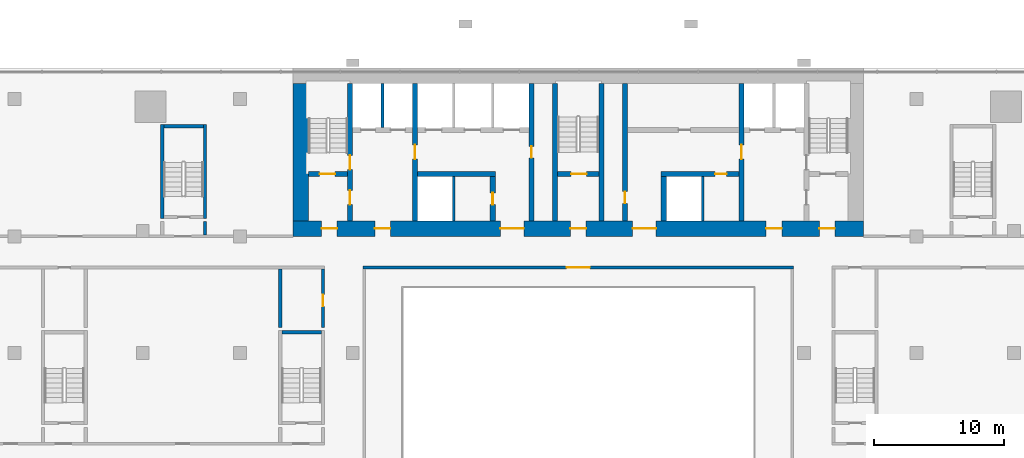
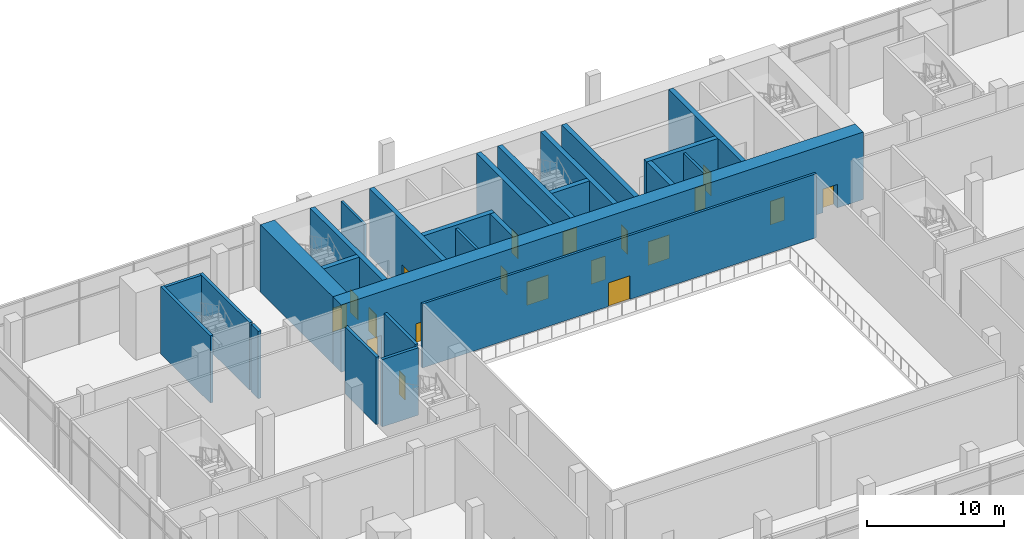
# One storey, part 13 of 22: 26 walls, 19 doors, 19 openings.
"""IFC4 building model written with IfcOpenShell, lengths in metres."""

from ifc_helpers import new_model, si_unit, direction, frame, frame_2d, origin, place, context, subcontext, project, spatial, rectangle, extrude, material, layer, layer_set, type_object, element, fill, save


model = new_model("IFC4")

# Units and contexts
model_context = context("Model", 3, precision=1e-05, world=origin(), true_north=direction((0.0, 1.0)))
body_context = subcontext(model_context, "Body", "Model", "MODEL_VIEW")
ifc_project = project(units=[si_unit("LENGTHUNIT", "METRE"), si_unit("AREAUNIT", "SQUARE_METRE"), si_unit("VOLUMEUNIT", "CUBIC_METRE"), si_unit("PLANEANGLEUNIT", "RADIAN"), si_unit("MASSUNIT", "GRAM", prefix="KILO")], contexts=[model_context])

# Site, building, storey
site_placement = place(None, origin())
site = spatial("IfcSite", under=ifc_project, at=site_placement, CompositionType="ELEMENT")
building_placement = place(site_placement, origin())
building = spatial("IfcBuilding", under=site, at=building_placement, Name="Bicima Exchange Tower", CompositionType="ELEMENT")
storey_placement = place(building_placement, frame((0.0, 0.0, 14.0)))
storey = spatial("IfcBuildingStorey", under=building, at=storey_placement, Name="L02", CompositionType="ELEMENT", Elevation=14.0)

# Walls
ifc_material_1 = material(Name="Gypsum board partition")
ifc_layer_1 = layer(ifc_material_1, 0.199951171875)
ifc_layer_set_1 = layer_set([ifc_layer_1], Name="Gypsum board partition")
wall_type_1 = type_object("IfcWallType", Name="Fire-rated gypsum partition 200 EI120", PredefinedType="PARTITIONING", material=ifc_layer_set_1)
for number, where, z_axis, x_axis, name in (
    (1, (-15.10009765625, -4.60009765625, 0.0), (0.0, 0.0, 1.0), (0.0, 1.0, 0.0), "partition wall 9"),
    (2, (-9.60009765625, -11.800048828125, 0.0), (0.0, 0.0, 1.0), (0.0, 1.0, 0.0), "partition wall 11"),
    (3, (9.60009765625, -11.800048828125, 0.0), (0.0, 0.0, 1.0), (0.0, 1.0, 0.0), "partition wall 20"),
):
    element("IfcWall", number, at=place(storey_placement, frame(where, z_axis=z_axis, x_axis=x_axis)), inside=storey, type_object=wall_type_1, Name=name, PredefinedType="PARTITIONING", context=body_context, shape_type="SweptSolid", body=[
        extrude(rectangle(XDim=3.400146484375, YDim=0.199951171875, at=frame_2d((1.7001953125, 0.0))), origin(), (0.0, 0.0, 1.0), 5.699951171875),
    ])

# Wall, opening, door
ifc_layer_2 = layer(ifc_material_1, 0.199951171875)
ifc_layer_set_2 = layer_set([ifc_layer_2], Name="Gypsum board partition")
wall_type_2 = type_object("IfcWallType", Name="Fire-rated gypsum partition 200 EI60", PredefinedType="PARTITIONING", material=ifc_layer_set_2)
wall_1_placement = place(storey_placement, frame((-16.60009765625, -15.39990234375, 0.0), z_axis=(0.0, 0.0, 1.0), x_axis=(1.0, 0.0, 0.0)))
wall_1 = element("IfcWall", 4, at=wall_1_placement, inside=storey, type_object=wall_type_2, Name="partition wall 18", PredefinedType="PARTITIONING", context=body_context, shape_type="SweptSolid", body=[
    extrude(rectangle(XDim=33.2001953125, YDim=0.199951171875, at=frame_2d((16.60009765625, 0.0))), origin(), (0.0, 0.0, 1.0), 5.699951171875),
])
opening_1_placement = place(wall_1_placement, frame((15.699951171875, 0.0, 0.0)))
opening_1 = element("IfcOpeningElement", 5, at=opening_1_placement, cuts=wall_1, Name="Opening L02-013", PredefinedType="OPENING", context=body_context, shape_type="SweptSolid", body=[
    extrude(rectangle(XDim=1.800048828125, YDim=2.10009765625, at=frame_2d((0.89990234375, 1.050048828125))), frame((0.0, 0.11181640625, 0.0), z_axis=(0.0, -1.0, 0.0), x_axis=(1.0, 0.0, 0.0)), (0.0, 0.0, 1.0), 0.223876953125),
])
ifc_material_2 = material(Name="Steel fire door leaf", Category="steel")
door_type_1 = type_object("IfcDoorType", Name="Door 1800 double swing FD30S", OperationType="DOUBLE_DOOR_SINGLE_SWING", PredefinedType="DOOR", material=ifc_material_2)
door_1_placement = place(opening_1_placement, origin())
door_1 = element("IfcDoor", 6, at=door_1_placement, inside=storey, type_object=door_type_1, Name="Door", OperationType="SINGLE_SWING_LEFT", OverallHeight=2.10009765625, OverallWidth=1.800048828125, PredefinedType="DOOR", context=body_context, shape_type="SweptSolid", body=[
    extrude(rectangle(XDim=1.800048828125, YDim=2.10009765625, at=frame_2d((0.89990234375, 1.050048828125))), frame((0.0, 0.02490234375, 0.0), z_axis=(0.0, -1.0, 0.0), x_axis=(1.0, 0.0, 0.0)), (0.0, 0.0, 1.0), 0.050048828125),
])
fill(opening_1, door_1)

# Wall, openings, doors
ifc_material_3 = material(Name="Concrete C60/75", Category="concrete")
ifc_layer_3 = layer(ifc_material_3, 1.199951171875)
ifc_layer_set_3 = layer_set([ifc_layer_3], Name="Concrete C60/75")
wall_type_3 = type_object("IfcWallType", Name="RC core wall 1200 C60/75", PredefinedType="SHEAR", material=ifc_layer_set_3)
wall_2_placement = place(storey_placement, frame((-22.0, -12.39990234375, 0.0), z_axis=(0.0, 0.0, 1.0), x_axis=(1.0, 0.0, 0.0)))
wall_2 = element("IfcWall", 7, at=wall_2_placement, inside=storey, type_object=wall_type_3, Name="Core wall south", PredefinedType="SHEAR", context=body_context, shape_type="SweptSolid", body=[
    extrude(rectangle(XDim=44.0, YDim=1.199951171875, at=frame_2d((22.0, 0.0))), origin(), (0.0, 0.0, 1.0), 6.0),
])
opening_2_placement = place(wall_2_placement, frame((2.199951171875, 0.0, 0.0)))
opening_2 = element("IfcOpeningElement", 8, at=opening_2_placement, cuts=wall_2, Name="Opening L02-C15", PredefinedType="OPENING", context=body_context, shape_type="SweptSolid", body=[
    extrude(rectangle(XDim=1.199951171875, YDim=2.10009765625, at=frame_2d((0.60009765625, 1.050048828125))), frame((0.0, 0.61181640625, 0.0), z_axis=(0.0, -1.0, 0.0), x_axis=(1.0, 0.0, 0.0)), (0.0, 0.0, 1.0), 1.223876953125),
])
opening_3_placement = place(wall_2_placement, frame((21.39990234375, 0.0, 0.0)))
opening_3 = element("IfcOpeningElement", 9, at=opening_3_placement, cuts=wall_2, Name="Opening L02-C16", PredefinedType="OPENING", context=body_context, shape_type="SweptSolid", body=[
    extrude(rectangle(XDim=1.199951171875, YDim=2.10009765625, at=frame_2d((0.60009765625, 1.050048828125))), frame((0.0, 0.61181640625, 0.0), z_axis=(0.0, -1.0, 0.0), x_axis=(1.0, 0.0, 0.0)), (0.0, 0.0, 1.0), 1.223876953125),
])
opening_4_placement = place(wall_2_placement, frame((40.60009765625, 0.0, 0.0)))
opening_4 = element("IfcOpeningElement", 10, at=opening_4_placement, cuts=wall_2, Name="Opening L02-C17", PredefinedType="OPENING", context=body_context, shape_type="SweptSolid", body=[
    extrude(rectangle(XDim=1.199951171875, YDim=2.10009765625, at=frame_2d((0.60009765625, 1.050048828125))), frame((0.0, 0.61181640625, 0.0), z_axis=(0.0, -1.0, 0.0), x_axis=(1.0, 0.0, 0.0)), (0.0, 0.0, 1.0), 1.223876953125),
])
opening_5_placement = place(wall_2_placement, frame((16.0, 0.0, 0.0)))
opening_5 = element("IfcOpeningElement", 11, at=opening_5_placement, cuts=wall_2, Name="Opening L02-C18", PredefinedType="OPENING", context=body_context, shape_type="SweptSolid", body=[
    extrude(rectangle(XDim=1.800048828125, YDim=2.10009765625, at=frame_2d((0.89990234375, 1.050048828125))), frame((0.0, 0.61181640625, 0.0), z_axis=(0.0, -1.0, 0.0), x_axis=(1.0, 0.0, 0.0)), (0.0, 0.0, 1.0), 1.223876953125),
])
opening_6_placement = place(wall_2_placement, frame((6.300048828125, 0.0, 0.0)))
opening_6 = element("IfcOpeningElement", 12, at=opening_6_placement, cuts=wall_2, Name="Opening L02-C19", PredefinedType="OPENING", context=body_context, shape_type="SweptSolid", body=[
    extrude(rectangle(XDim=1.199951171875, YDim=2.10009765625, at=frame_2d((0.60009765625, 1.050048828125))), frame((0.0, 0.61181640625, 0.0), z_axis=(0.0, -1.0, 0.0), x_axis=(1.0, 0.0, 0.0)), (0.0, 0.0, 1.0), 1.223876953125),
])
opening_7_placement = place(wall_2_placement, frame((26.199951171875, 0.0, 0.0)))
opening_7 = element("IfcOpeningElement", 13, at=opening_7_placement, cuts=wall_2, Name="Opening L02-C20", PredefinedType="OPENING", context=body_context, shape_type="SweptSolid", body=[
    extrude(rectangle(XDim=1.800048828125, YDim=2.10009765625, at=frame_2d((0.89990234375, 1.050048828125))), frame((0.0, 0.61181640625, 0.0), z_axis=(0.0, -1.0, 0.0), x_axis=(1.0, 0.0, 0.0)), (0.0, 0.0, 1.0), 1.223876953125),
])
opening_8_placement = place(wall_2_placement, frame((36.5, 0.0, 0.0)))
opening_8 = element("IfcOpeningElement", 14, at=opening_8_placement, cuts=wall_2, Name="Opening L02-C21", PredefinedType="OPENING", context=body_context, shape_type="SweptSolid", body=[
    extrude(rectangle(XDim=1.199951171875, YDim=2.10009765625, at=frame_2d((0.60009765625, 1.050048828125))), frame((0.0, 0.61181640625, 0.0), z_axis=(0.0, -1.0, 0.0), x_axis=(1.0, 0.0, 0.0)), (0.0, 0.0, 1.0), 1.223876953125),
])
door_type_2 = type_object("IfcDoorType", Name="Door 1200 swing FD60S", OperationType="SINGLE_SWING_LEFT", PredefinedType="DOOR", material=ifc_material_2)
door_2_placement = place(opening_2_placement, frame((1.199951171875, 0.0, 0.0), z_axis=(0.0, 0.0, 1.0), x_axis=(-1.0, 0.0, 0.0)))
door_2 = element("IfcDoor", 15, at=door_2_placement, inside=storey, type_object=door_type_2, Name="Core door", OperationType="SINGLE_SWING_RIGHT", OverallHeight=2.10009765625, OverallWidth=1.199951171875, PredefinedType="DOOR", context=body_context, shape_type="SweptSolid", body=[
    extrude(rectangle(XDim=1.199951171875, YDim=2.10009765625, at=frame_2d((0.60009765625, 1.050048828125))), frame((0.0, 0.02490234375, 0.0), z_axis=(0.0, -1.0, 0.0), x_axis=(1.0, 0.0, 0.0)), (0.0, 0.0, 1.0), 0.050048828125),
])
fill(opening_2, door_2)
door_3_placement = place(opening_3_placement, frame((1.199951171875, 0.0, 0.0), z_axis=(0.0, 0.0, 1.0), x_axis=(-1.0, 0.0, 0.0)))
door_3 = element("IfcDoor", 16, at=door_3_placement, inside=storey, type_object=door_type_2, Name="Core door", OperationType="SINGLE_SWING_RIGHT", OverallHeight=2.10009765625, OverallWidth=1.199951171875, PredefinedType="DOOR", context=body_context, shape_type="SweptSolid", body=[
    extrude(rectangle(XDim=1.199951171875, YDim=2.10009765625, at=frame_2d((0.60009765625, 1.050048828125))), frame((0.0, 0.02490234375, 0.0), z_axis=(0.0, -1.0, 0.0), x_axis=(1.0, 0.0, 0.0)), (0.0, 0.0, 1.0), 0.050048828125),
])
fill(opening_3, door_3)
door_4_placement = place(opening_4_placement, frame((1.199951171875, 0.0, 0.0), z_axis=(0.0, 0.0, 1.0), x_axis=(-1.0, 0.0, 0.0)))
door_4 = element("IfcDoor", 17, at=door_4_placement, inside=storey, type_object=door_type_2, Name="Core door", OperationType="SINGLE_SWING_RIGHT", OverallHeight=2.10009765625, OverallWidth=1.199951171875, PredefinedType="DOOR", context=body_context, shape_type="SweptSolid", body=[
    extrude(rectangle(XDim=1.199951171875, YDim=2.10009765625, at=frame_2d((0.60009765625, 1.050048828125))), frame((0.0, 0.02490234375, 0.0), z_axis=(0.0, -1.0, 0.0), x_axis=(1.0, 0.0, 0.0)), (0.0, 0.0, 1.0), 0.050048828125),
])
fill(opening_4, door_4)
door_5_placement = place(opening_6_placement, frame((1.199951171875, 0.0, 0.0), z_axis=(0.0, 0.0, 1.0), x_axis=(-1.0, 0.0, 0.0)))
door_5 = element("IfcDoor", 18, at=door_5_placement, inside=storey, type_object=door_type_2, Name="Core door", OperationType="SINGLE_SWING_RIGHT", OverallHeight=2.10009765625, OverallWidth=1.199951171875, PredefinedType="DOOR", context=body_context, shape_type="SweptSolid", body=[
    extrude(rectangle(XDim=1.199951171875, YDim=2.10009765625, at=frame_2d((0.60009765625, 1.050048828125))), frame((0.0, 0.02490234375, 0.0), z_axis=(0.0, -1.0, 0.0), x_axis=(1.0, 0.0, 0.0)), (0.0, 0.0, 1.0), 0.050048828125),
])
fill(opening_6, door_5)
door_6_placement = place(opening_8_placement, frame((1.199951171875, 0.0, 0.0), z_axis=(0.0, 0.0, 1.0), x_axis=(-1.0, 0.0, 0.0)))
door_6 = element("IfcDoor", 19, at=door_6_placement, inside=storey, type_object=door_type_2, Name="Core door", OperationType="SINGLE_SWING_RIGHT", OverallHeight=2.10009765625, OverallWidth=1.199951171875, PredefinedType="DOOR", context=body_context, shape_type="SweptSolid", body=[
    extrude(rectangle(XDim=1.199951171875, YDim=2.10009765625, at=frame_2d((0.60009765625, 1.050048828125))), frame((0.0, 0.02490234375, 0.0), z_axis=(0.0, -1.0, 0.0), x_axis=(1.0, 0.0, 0.0)), (0.0, 0.0, 1.0), 0.050048828125),
])
fill(opening_8, door_6)
door_7_placement = place(opening_5_placement, origin())
door_7 = element("IfcDoor", 20, at=door_7_placement, inside=storey, type_object=door_type_1, Name="Core door", OperationType="SINGLE_SWING_LEFT", OverallHeight=2.10009765625, OverallWidth=1.800048828125, PredefinedType="DOOR", context=body_context, shape_type="SweptSolid", body=[
    extrude(rectangle(XDim=1.800048828125, YDim=2.10009765625, at=frame_2d((0.89990234375, 1.050048828125))), frame((0.0, 0.02490234375, 0.0), z_axis=(0.0, -1.0, 0.0), x_axis=(1.0, 0.0, 0.0)), (0.0, 0.0, 1.0), 0.050048828125),
])
fill(opening_5, door_7)
door_8_placement = place(opening_7_placement, origin())
door_8 = element("IfcDoor", 21, at=door_8_placement, inside=storey, type_object=door_type_1, Name="Core door", OperationType="SINGLE_SWING_LEFT", OverallHeight=2.10009765625, OverallWidth=1.800048828125, PredefinedType="DOOR", context=body_context, shape_type="SweptSolid", body=[
    extrude(rectangle(XDim=1.800048828125, YDim=2.10009765625, at=frame_2d((0.89990234375, 1.050048828125))), frame((0.0, 0.02490234375, 0.0), z_axis=(0.0, -1.0, 0.0), x_axis=(1.0, 0.0, 0.0)), (0.0, 0.0, 1.0), 0.050048828125),
])
fill(opening_7, door_8)

# Walls
wall_3_placement = place(storey_placement, frame((-21.39990234375, -11.800048828125, 0.0), z_axis=(0.0, 0.0, 1.0), x_axis=(0.0, 1.0, 0.0)))
element("IfcWall", 22, at=wall_3_placement, inside=storey, type_object=wall_type_3, Name="Core wall west", PredefinedType="SHEAR", context=body_context, shape_type="SweptSolid", body=[
    extrude(rectangle(XDim=10.60009765625, YDim=1.199951171875, at=frame_2d((5.300048828125, 0.0))), origin(), (0.0, 0.0, 1.0), 6.0),
])
ifc_material_4 = material(Name="Concrete C50/60", Category="concrete")
ifc_layer_4 = layer(ifc_material_4, 0.25)
ifc_layer_set_4 = layer_set([ifc_layer_4], Name="Concrete C50/60")
wall_type_4 = type_object("IfcWallType", Name="RC core wall 250 C50/60", PredefinedType="SHEAR", material=ifc_layer_set_4)
wall_4_placement = place(storey_placement, frame((-28.800048828125, -12.89990234375, 0.0), z_axis=(0.0, 0.0, 1.0), x_axis=(0.0, 1.0, 0.0)))
element("IfcWall", 23, at=wall_4_placement, inside=storey, type_object=wall_type_4, Name="stair wall 34", PredefinedType="SHEAR", context=body_context, shape_type="SweptSolid", body=[
    extrude(rectangle(XDim=1.0498046875, YDim=0.25, at=frame_2d((0.52490234375, 0.0))), origin(), (0.0, 0.0, 1.0), 6.0),
])
wall_5_placement = place(storey_placement, frame((-23.0, -20.050048828125, 0.0), z_axis=(0.0, 0.0, 1.0), x_axis=(0.0, 1.0, 0.0)))
element("IfcWall", 24, at=wall_5_placement, inside=storey, type_object=wall_type_4, Name="stair wall 36", PredefinedType="SHEAR", context=body_context, shape_type="SweptSolid", body=[
    extrude(rectangle(XDim=4.550048828125, YDim=0.25, at=frame_2d((2.27490234375, 0.0))), origin(), (0.0, 0.0, 1.0), 6.0),
])

# Wall, opening, door
wall_6_placement = place(storey_placement, frame((-19.699951171875, -20.050048828125, 0.0), z_axis=(0.0, 0.0, 1.0), x_axis=(0.0, 1.0, 0.0)))
wall_6 = element("IfcWall", 25, at=wall_6_placement, inside=storey, type_object=wall_type_4, Name="stair wall 38", PredefinedType="SHEAR", context=body_context, shape_type="SweptSolid", body=[
    extrude(rectangle(XDim=4.550048828125, YDim=0.25, at=frame_2d((2.27490234375, 0.0))), origin(), (0.0, 0.0, 1.0), 6.0),
])
opening_9_placement = place(wall_6_placement, frame((1.64990234375, 0.0, 0.0)))
opening_9 = element("IfcOpeningElement", 26, at=opening_9_placement, cuts=wall_6, Name="Opening L02-023", PredefinedType="OPENING", context=body_context, shape_type="SweptSolid", body=[
    extrude(rectangle(XDim=0.89990234375, YDim=2.10009765625, at=frame_2d((0.449951171875, 1.050048828125))), frame((0.0, 0.136962890625, 0.0), z_axis=(0.0, -1.0, 0.0), x_axis=(1.0, 0.0, 0.0)), (0.0, 0.0, 1.0), 0.27392578125),
])
door_type_3 = type_object("IfcDoorType", Name="Door 900 swing FD60S", OperationType="SINGLE_SWING_LEFT", PredefinedType="DOOR", material=ifc_material_2)
door_9_placement = place(opening_9_placement, origin())
door_9 = element("IfcDoor", 27, at=door_9_placement, inside=storey, type_object=door_type_3, Name="Door", OperationType="SINGLE_SWING_LEFT", OverallHeight=2.10009765625, OverallWidth=0.89990234375, PredefinedType="DOOR", context=body_context, shape_type="SweptSolid", body=[
    extrude(rectangle(XDim=0.89990234375, YDim=2.10009765625, at=frame_2d((0.449951171875, 1.050048828125))), frame((0.0, 0.02490234375, 0.0), z_axis=(0.0, -1.0, 0.0), x_axis=(1.0, 0.0, 0.0)), (0.0, 0.0, 1.0), 0.050048828125),
])
fill(opening_9, door_9)

ifc_layer_5 = layer(ifc_material_4, 0.39990234375)
ifc_layer_set_5 = layer_set([ifc_layer_5], Name="Concrete C50/60")
wall_type_5 = type_object("IfcWallType", Name="RC core wall 400 C50/60", PredefinedType="SHEAR", material=ifc_layer_set_5)
wall_7_placement = place(storey_placement, frame((-20.800048828125, -8.199951171875, 0.0), z_axis=(0.0, 0.0, 1.0), x_axis=(1.0, 0.0, 0.0)))
wall_7 = element("IfcWall", 28, at=wall_7_placement, inside=storey, type_object=wall_type_5, Name="stair wall 1", PredefinedType="SHEAR", context=body_context, shape_type="SweptSolid", body=[
    extrude(rectangle(XDim=3.0, YDim=0.39990234375, at=frame_2d((1.5, 0.0))), origin(), (0.0, 0.0, 1.0), 6.0),
])
opening_10_placement = place(wall_7_placement, frame((0.85009765625, 0.0, 0.0)))
opening_10 = element("IfcOpeningElement", 29, at=opening_10_placement, cuts=wall_7, Name="Opening L02-C01", PredefinedType="OPENING", context=body_context, shape_type="SweptSolid", body=[
    extrude(rectangle(XDim=1.199951171875, YDim=2.10009765625, at=frame_2d((0.60009765625, 1.050048828125))), frame((0.0, 0.2119140625, 0.0), z_axis=(0.0, -1.0, 0.0), x_axis=(1.0, 0.0, 0.0)), (0.0, 0.0, 1.0), 0.423828125),
])
door_10_placement = place(opening_10_placement, origin())
door_10 = element("IfcDoor", 30, at=door_10_placement, inside=storey, type_object=door_type_2, Name="Core door", OperationType="SINGLE_SWING_LEFT", OverallHeight=2.10009765625, OverallWidth=1.199951171875, PredefinedType="DOOR", context=body_context, shape_type="SweptSolid", body=[
    extrude(rectangle(XDim=1.199951171875, YDim=2.10009765625, at=frame_2d((0.60009765625, 1.050048828125))), frame((0.0, 0.02490234375, 0.0), z_axis=(0.0, -1.0, 0.0), x_axis=(1.0, 0.0, 0.0)), (0.0, 0.0, 1.0), 0.050048828125),
])
fill(opening_10, door_10)

wall_8_placement = place(storey_placement, frame((-1.60009765625, -8.199951171875, 0.0), z_axis=(0.0, 0.0, 1.0), x_axis=(1.0, 0.0, 0.0)))
wall_8 = element("IfcWall", 31, at=wall_8_placement, inside=storey, type_object=wall_type_5, Name="stair wall 3", PredefinedType="SHEAR", context=body_context, shape_type="SweptSolid", body=[
    extrude(rectangle(XDim=3.2001953125, YDim=0.39990234375, at=frame_2d((1.60009765625, 0.0))), origin(), (0.0, 0.0, 1.0), 6.0),
])
opening_11_placement = place(wall_8_placement, frame((1.050048828125, 0.0, 0.0)))
opening_11 = element("IfcOpeningElement", 32, at=opening_11_placement, cuts=wall_8, Name="Opening L02-C03", PredefinedType="OPENING", context=body_context, shape_type="SweptSolid", body=[
    extrude(rectangle(XDim=1.199951171875, YDim=2.10009765625, at=frame_2d((0.60009765625, 1.050048828125))), frame((0.0, 0.2119140625, 0.0), z_axis=(0.0, -1.0, 0.0), x_axis=(1.0, 0.0, 0.0)), (0.0, 0.0, 1.0), 0.423828125),
])
door_11_placement = place(opening_11_placement, origin())
door_11 = element("IfcDoor", 33, at=door_11_placement, inside=storey, type_object=door_type_2, Name="Core door", OperationType="SINGLE_SWING_LEFT", OverallHeight=2.10009765625, OverallWidth=1.199951171875, PredefinedType="DOOR", context=body_context, shape_type="SweptSolid", body=[
    extrude(rectangle(XDim=1.199951171875, YDim=2.10009765625, at=frame_2d((0.60009765625, 1.050048828125))), frame((0.0, 0.02490234375, 0.0), z_axis=(0.0, -1.0, 0.0), x_axis=(1.0, 0.0, 0.0)), (0.0, 0.0, 1.0), 0.050048828125),
])
fill(opening_11, door_11)

# Wall, openings, doors
wall_9_placement = place(storey_placement, frame((-17.60009765625, -11.800048828125, 0.0), z_axis=(0.0, 0.0, 1.0), x_axis=(0.0, 1.0, 0.0)))
wall_9 = element("IfcWall", 34, at=wall_9_placement, inside=storey, type_object=wall_type_5, Name="stair wall 8", PredefinedType="SHEAR", context=body_context, shape_type="SweptSolid", body=[
    extrude(rectangle(XDim=10.60009765625, YDim=0.39990234375, at=frame_2d((5.300048828125, 0.0))), origin(), (0.0, 0.0, 1.0), 6.0),
])
opening_12_placement = place(wall_9_placement, frame((1.25, 0.0, 0.0)))
opening_12 = element("IfcOpeningElement", 35, at=opening_12_placement, cuts=wall_9, Name="Opening L02-C02", PredefinedType="OPENING", context=body_context, shape_type="SweptSolid", body=[
    extrude(rectangle(XDim=1.10009765625, YDim=2.10009765625, at=frame_2d((0.550048828125, 1.050048828125))), frame((0.0, 0.2119140625, 0.0), z_axis=(0.0, -1.0, 0.0), x_axis=(1.0, 0.0, 0.0)), (0.0, 0.0, 1.0), 0.423828125),
])
opening_13_placement = place(wall_9_placement, frame((3.949951171875, 0.0, 0.0)))
opening_13 = element("IfcOpeningElement", 36, at=opening_13_placement, cuts=wall_9, Name="Opening L02-C06", PredefinedType="OPENING", context=body_context, shape_type="SweptSolid", body=[
    extrude(rectangle(XDim=1.10009765625, YDim=2.10009765625, at=frame_2d((0.550048828125, 1.050048828125))), frame((0.0, 0.2119140625, 0.0), z_axis=(0.0, -1.0, 0.0), x_axis=(1.0, 0.0, 0.0)), (0.0, 0.0, 1.0), 0.423828125),
])
door_type_4 = type_object("IfcDoorType", Name="Door 1100 swing FD60S", OperationType="SINGLE_SWING_LEFT", PredefinedType="DOOR", material=ifc_material_2)
door_12_placement = place(opening_12_placement, frame((1.10009765625, 0.0, 0.0), z_axis=(0.0, 0.0, 1.0), x_axis=(-1.0, 0.0, 0.0)))
door_12 = element("IfcDoor", 37, at=door_12_placement, inside=storey, type_object=door_type_4, Name="Core door", OperationType="SINGLE_SWING_LEFT", OverallHeight=2.10009765625, OverallWidth=1.10009765625, PredefinedType="DOOR", context=body_context, shape_type="SweptSolid", body=[
    extrude(rectangle(XDim=1.10009765625, YDim=2.10009765625, at=frame_2d((0.550048828125, 1.050048828125))), frame((0.0, 0.02490234375, 0.0), z_axis=(0.0, -1.0, 0.0), x_axis=(1.0, 0.0, 0.0)), (0.0, 0.0, 1.0), 0.050048828125),
])
fill(opening_12, door_12)
door_13_placement = place(opening_13_placement, frame((1.10009765625, 0.0, 0.0), z_axis=(0.0, 0.0, 1.0), x_axis=(-1.0, 0.0, 0.0)))
door_13 = element("IfcDoor", 38, at=door_13_placement, inside=storey, type_object=door_type_4, Name="Core door", OperationType="SINGLE_SWING_LEFT", OverallHeight=2.10009765625, OverallWidth=1.10009765625, PredefinedType="DOOR", context=body_context, shape_type="SweptSolid", body=[
    extrude(rectangle(XDim=1.10009765625, YDim=2.10009765625, at=frame_2d((0.550048828125, 1.050048828125))), frame((0.0, 0.02490234375, 0.0), z_axis=(0.0, -1.0, 0.0), x_axis=(1.0, 0.0, 0.0)), (0.0, 0.0, 1.0), 0.050048828125),
])
fill(opening_13, door_13)

# Walls
for number, where, z_axis, x_axis, name in (
    (39, (-1.800048828125, -11.800048828125, 0.0), (0.0, 0.0, 1.0), (0.0, 1.0, 0.0), "stair wall 16"),
    (40, (1.800048828125, -11.800048828125, 0.0), (0.0, 0.0, 1.0), (0.0, 1.0, 0.0), "stair wall 17"),
):
    element("IfcWall", number, at=place(storey_placement, frame(where, z_axis=z_axis, x_axis=x_axis)), inside=storey, type_object=wall_type_5, Name=name, PredefinedType="SHEAR", context=body_context, shape_type="SweptSolid", body=[
        extrude(rectangle(XDim=10.60009765625, YDim=0.39990234375, at=frame_2d((5.300048828125, 0.0))), origin(), (0.0, 0.0, 1.0), 6.0),
    ])
ifc_layer_6 = layer(ifc_material_3, 0.39990234375)
ifc_layer_set_6 = layer_set([ifc_layer_6], Name="Concrete C60/75")
wall_type_6 = type_object("IfcWallType", Name="RC core wall 400 C60/75", PredefinedType="SHEAR", material=ifc_layer_set_6)
wall_10_placement = place(storey_placement, frame((-12.39990234375, -8.199951171875, 0.0), z_axis=(0.0, 0.0, 1.0), x_axis=(1.0, 0.0, 0.0)))
element("IfcWall", 41, at=wall_10_placement, inside=storey, type_object=wall_type_6, Name="shear wall 2", PredefinedType="SHEAR", context=body_context, shape_type="SweptSolid", body=[
    extrude(rectangle(XDim=6.0, YDim=0.39990234375, at=frame_2d((3.0, 0.0))), origin(), (0.0, 0.0, 1.0), 6.0),
])

# Wall, opening, door
wall_11_placement = place(storey_placement, frame((6.39990234375, -8.199951171875, 0.0), z_axis=(0.0, 0.0, 1.0), x_axis=(1.0, 0.0, 0.0)))
wall_11 = element("IfcWall", 42, at=wall_11_placement, inside=storey, type_object=wall_type_6, Name="shear wall 4", PredefinedType="SHEAR", context=body_context, shape_type="SweptSolid", body=[
    extrude(rectangle(XDim=6.0, YDim=0.39990234375, at=frame_2d((3.0, 0.0))), origin(), (0.0, 0.0, 1.0), 6.0),
])
opening_14_placement = place(wall_11_placement, frame((4.14990234375, 0.0, 0.0)))
opening_14 = element("IfcOpeningElement", 43, at=opening_14_placement, cuts=wall_11, Name="Opening L02-C14", PredefinedType="OPENING", context=body_context, shape_type="SweptSolid", body=[
    extrude(rectangle(XDim=0.89990234375, YDim=2.10009765625, at=frame_2d((0.449951171875, 1.050048828125))), frame((0.0, 0.2119140625, 0.0), z_axis=(0.0, -1.0, 0.0), x_axis=(1.0, 0.0, 0.0)), (0.0, 0.0, 1.0), 0.423828125),
])
door_type_5 = type_object("IfcDoorType", Name="Door 900 swing FD30S", OperationType="SINGLE_SWING_LEFT", PredefinedType="DOOR", material=ifc_material_2)
door_14_placement = place(opening_14_placement, frame((0.89990234375, 0.0, 0.0), z_axis=(0.0, 0.0, 1.0), x_axis=(-1.0, 0.0, 0.0)))
door_14 = element("IfcDoor", 44, at=door_14_placement, inside=storey, type_object=door_type_5, Name="Core door", OperationType="SINGLE_SWING_LEFT", OverallHeight=2.10009765625, OverallWidth=0.89990234375, PredefinedType="DOOR", context=body_context, shape_type="SweptSolid", body=[
    extrude(rectangle(XDim=0.89990234375, YDim=2.10009765625, at=frame_2d((0.449951171875, 1.050048828125))), frame((0.0, 0.02490234375, 0.0), z_axis=(0.0, -1.0, 0.0), x_axis=(1.0, 0.0, 0.0)), (0.0, 0.0, 1.0), 0.050048828125),
])
fill(opening_14, door_14)

wall_12_placement = place(storey_placement, frame((-12.60009765625, -11.800048828125, 0.0), z_axis=(0.0, 0.0, 1.0), x_axis=(0.0, 1.0, 0.0)))
wall_12 = element("IfcWall", 45, at=wall_12_placement, inside=storey, type_object=wall_type_6, Name="shear wall 10", PredefinedType="SHEAR", context=body_context, shape_type="SweptSolid", body=[
    extrude(rectangle(XDim=10.60009765625, YDim=0.39990234375, at=frame_2d((5.300048828125, 0.0))), origin(), (0.0, 0.0, 1.0), 6.0),
])
opening_15_placement = place(wall_12_placement, frame((4.75, 0.0, 0.0)))
opening_15 = element("IfcOpeningElement", 46, at=opening_15_placement, cuts=wall_12, Name="Opening L02-C07", PredefinedType="OPENING", context=body_context, shape_type="SweptSolid", body=[
    extrude(rectangle(XDim=1.10009765625, YDim=2.10009765625, at=frame_2d((0.550048828125, 1.050048828125))), frame((0.0, 0.2119140625, 0.0), z_axis=(0.0, -1.0, 0.0), x_axis=(1.0, 0.0, 0.0)), (0.0, 0.0, 1.0), 0.423828125),
])
door_15_placement = place(opening_15_placement, origin())
door_15 = element("IfcDoor", 47, at=door_15_placement, inside=storey, type_object=door_type_4, Name="Core door", OperationType="SINGLE_SWING_LEFT", OverallHeight=2.10009765625, OverallWidth=1.10009765625, PredefinedType="DOOR", context=body_context, shape_type="SweptSolid", body=[
    extrude(rectangle(XDim=1.10009765625, YDim=2.10009765625, at=frame_2d((0.550048828125, 1.050048828125))), frame((0.0, 0.02490234375, 0.0), z_axis=(0.0, -1.0, 0.0), x_axis=(1.0, 0.0, 0.0)), (0.0, 0.0, 1.0), 0.050048828125),
])
fill(opening_15, door_15)

wall_13_placement = place(storey_placement, frame((-6.60009765625, -11.800048828125, 0.0), z_axis=(0.0, 0.0, 1.0), x_axis=(0.0, 1.0, 0.0)))
wall_13 = element("IfcWall", 48, at=wall_13_placement, inside=storey, type_object=wall_type_6, Name="shear wall 13", PredefinedType="SHEAR", context=body_context, shape_type="SweptSolid", body=[
    extrude(rectangle(XDim=3.400146484375, YDim=0.39990234375, at=frame_2d((1.7001953125, 0.0))), origin(), (0.0, 0.0, 1.0), 6.0),
])
opening_16_placement = place(wall_13_placement, frame((1.25, 0.0, 0.0)))
opening_16 = element("IfcOpeningElement", 49, at=opening_16_placement, cuts=wall_13, Name="Opening L02-C13", PredefinedType="OPENING", context=body_context, shape_type="SweptSolid", body=[
    extrude(rectangle(XDim=0.89990234375, YDim=2.10009765625, at=frame_2d((0.449951171875, 1.050048828125))), frame((0.0, 0.2119140625, 0.0), z_axis=(0.0, -1.0, 0.0), x_axis=(1.0, 0.0, 0.0)), (0.0, 0.0, 1.0), 0.423828125),
])
door_16_placement = place(opening_16_placement, origin())
door_16 = element("IfcDoor", 50, at=door_16_placement, inside=storey, type_object=door_type_5, Name="Core door", OperationType="SINGLE_SWING_LEFT", OverallHeight=2.10009765625, OverallWidth=0.89990234375, PredefinedType="DOOR", context=body_context, shape_type="SweptSolid", body=[
    extrude(rectangle(XDim=0.89990234375, YDim=2.10009765625, at=frame_2d((0.449951171875, 1.050048828125))), frame((0.0, 0.02490234375, 0.0), z_axis=(0.0, -1.0, 0.0), x_axis=(1.0, 0.0, 0.0)), (0.0, 0.0, 1.0), 0.050048828125),
])
fill(opening_16, door_16)

wall_14_placement = place(storey_placement, frame((-3.60009765625, -11.800048828125, 0.0), z_axis=(0.0, 0.0, 1.0), x_axis=(0.0, 1.0, 0.0)))
wall_14 = element("IfcWall", 51, at=wall_14_placement, inside=storey, type_object=wall_type_6, Name="shear wall 15", PredefinedType="SHEAR", context=body_context, shape_type="SweptSolid", body=[
    extrude(rectangle(XDim=10.60009765625, YDim=0.39990234375, at=frame_2d((5.300048828125, 0.0))), origin(), (0.0, 0.0, 1.0), 6.0),
])
opening_17_placement = place(wall_14_placement, frame((4.85009765625, 0.0, 0.0)))
opening_17 = element("IfcOpeningElement", 52, at=opening_17_placement, cuts=wall_14, Name="Opening L02-C10", PredefinedType="OPENING", context=body_context, shape_type="SweptSolid", body=[
    extrude(rectangle(XDim=0.89990234375, YDim=2.10009765625, at=frame_2d((0.449951171875, 1.050048828125))), frame((0.0, 0.2119140625, 0.0), z_axis=(0.0, -1.0, 0.0), x_axis=(1.0, 0.0, 0.0)), (0.0, 0.0, 1.0), 0.423828125),
])
door_17_placement = place(opening_17_placement, frame((0.89990234375, 0.0, 0.0), z_axis=(0.0, 0.0, 1.0), x_axis=(-1.0, 0.0, 0.0)))
door_17 = element("IfcDoor", 53, at=door_17_placement, inside=storey, type_object=door_type_5, Name="Core door", OperationType="SINGLE_SWING_LEFT", OverallHeight=2.10009765625, OverallWidth=0.89990234375, PredefinedType="DOOR", context=body_context, shape_type="SweptSolid", body=[
    extrude(rectangle(XDim=0.89990234375, YDim=2.10009765625, at=frame_2d((0.449951171875, 1.050048828125))), frame((0.0, 0.02490234375, 0.0), z_axis=(0.0, -1.0, 0.0), x_axis=(1.0, 0.0, 0.0)), (0.0, 0.0, 1.0), 0.050048828125),
])
fill(opening_17, door_17)

wall_15_placement = place(storey_placement, frame((3.60009765625, -11.800048828125, 0.0), z_axis=(0.0, 0.0, 1.0), x_axis=(0.0, 1.0, 0.0)))
wall_15 = element("IfcWall", 54, at=wall_15_placement, inside=storey, type_object=wall_type_6, Name="shear wall 18", PredefinedType="SHEAR", context=body_context, shape_type="SweptSolid", body=[
    extrude(rectangle(XDim=10.60009765625, YDim=0.39990234375, at=frame_2d((5.300048828125, 0.0))), origin(), (0.0, 0.0, 1.0), 6.0),
])
opening_18_placement = place(wall_15_placement, frame((1.35009765625, 0.0, 0.0)))
opening_18 = element("IfcOpeningElement", 55, at=opening_18_placement, cuts=wall_15, Name="Opening L02-C11", PredefinedType="OPENING", context=body_context, shape_type="SweptSolid", body=[
    extrude(rectangle(XDim=0.89990234375, YDim=2.10009765625, at=frame_2d((0.449951171875, 1.050048828125))), frame((0.0, 0.2119140625, 0.0), z_axis=(0.0, -1.0, 0.0), x_axis=(1.0, 0.0, 0.0)), (0.0, 0.0, 1.0), 0.423828125),
])
door_18_placement = place(opening_18_placement, origin())
door_18 = element("IfcDoor", 56, at=door_18_placement, inside=storey, type_object=door_type_5, Name="Core door", OperationType="SINGLE_SWING_LEFT", OverallHeight=2.10009765625, OverallWidth=0.89990234375, PredefinedType="DOOR", context=body_context, shape_type="SweptSolid", body=[
    extrude(rectangle(XDim=0.89990234375, YDim=2.10009765625, at=frame_2d((0.449951171875, 1.050048828125))), frame((0.0, 0.02490234375, 0.0), z_axis=(0.0, -1.0, 0.0), x_axis=(1.0, 0.0, 0.0)), (0.0, 0.0, 1.0), 0.050048828125),
])
fill(opening_18, door_18)

# Wall
wall_16_placement = place(storey_placement, frame((6.60009765625, -11.800048828125, 0.0), z_axis=(0.0, 0.0, 1.0), x_axis=(0.0, 1.0, 0.0)))
element("IfcWall", 57, at=wall_16_placement, inside=storey, type_object=wall_type_6, Name="shear wall 19", PredefinedType="SHEAR", context=body_context, shape_type="SweptSolid", body=[
    extrude(rectangle(XDim=3.400146484375, YDim=0.39990234375, at=frame_2d((1.7001953125, 0.0))), origin(), (0.0, 0.0, 1.0), 6.0),
])

# Wall, opening, door
wall_17_placement = place(storey_placement, frame((12.60009765625, -11.800048828125, 0.0), z_axis=(0.0, 0.0, 1.0), x_axis=(0.0, 1.0, 0.0)))
wall_17 = element("IfcWall", 58, at=wall_17_placement, inside=storey, type_object=wall_type_6, Name="shear wall 21", PredefinedType="SHEAR", context=body_context, shape_type="SweptSolid", body=[
    extrude(rectangle(XDim=10.60009765625, YDim=0.39990234375, at=frame_2d((5.300048828125, 0.0))), origin(), (0.0, 0.0, 1.0), 6.0),
])
opening_19_placement = place(wall_17_placement, frame((4.75, 0.0, 0.0)))
opening_19 = element("IfcOpeningElement", 59, at=opening_19_placement, cuts=wall_17, Name="Opening L02-C09", PredefinedType="OPENING", context=body_context, shape_type="SweptSolid", body=[
    extrude(rectangle(XDim=1.10009765625, YDim=2.10009765625, at=frame_2d((0.550048828125, 1.050048828125))), frame((0.0, 0.2119140625, 0.0), z_axis=(0.0, -1.0, 0.0), x_axis=(1.0, 0.0, 0.0)), (0.0, 0.0, 1.0), 0.423828125),
])
door_19_placement = place(opening_19_placement, frame((1.10009765625, 0.0, 0.0), z_axis=(0.0, 0.0, 1.0), x_axis=(-1.0, 0.0, 0.0)))
door_19 = element("IfcDoor", 60, at=door_19_placement, inside=storey, type_object=door_type_4, Name="Core door", OperationType="SINGLE_SWING_RIGHT", OverallHeight=2.10009765625, OverallWidth=1.10009765625, PredefinedType="DOOR", context=body_context, shape_type="SweptSolid", body=[
    extrude(rectangle(XDim=1.10009765625, YDim=2.10009765625, at=frame_2d((0.550048828125, 1.050048828125))), frame((0.0, 0.02490234375, 0.0), z_axis=(0.0, -1.0, 0.0), x_axis=(1.0, 0.0, 0.0)), (0.0, 0.0, 1.0), 0.050048828125),
])
fill(opening_19, door_19)

# Walls
ifc_layer_7 = layer(ifc_material_4, 0.25)
ifc_layer_set_7 = layer_set([ifc_layer_7], Name="Concrete C50/60")
wall_type_7 = type_object("IfcWallType", Name="RC stair enclosure wall 250 C50/60", PredefinedType="SHEAR", material=ifc_layer_set_7)
for number, where, z_axis, x_axis, name in (
    (61, (-32.10009765625, -11.625, 0.0), (0.0, 0.0, 1.0), (0.0, 1.0, 0.0), "West end exit stair wall W"),
    (62, (-28.800048828125, -11.625, 0.0), (0.0, 0.0, 1.0), (0.0, 1.0, 0.0), "West end exit stair wall E"),
):
    element("IfcWall", number, at=place(storey_placement, frame(where, z_axis=z_axis, x_axis=x_axis)), inside=storey, type_object=wall_type_7, Name=name, PredefinedType="SHEAR", context=body_context, shape_type="SweptSolid", body=[
        extrude(rectangle(XDim=7.25, YDim=0.25, at=frame_2d((3.625, 0.0))), origin(), (0.0, 0.0, 1.0), 6.0),
    ])
for number, where, z_axis, x_axis, name in (
    (63, (-31.97509765625, -4.5, 0.0), (0.0, 0.0, 1.0), (1.0, 0.0, 0.0), "West end exit stair wall N"),
    (64, (-22.875, -20.39990234375, 0.0), (0.0, 0.0, 1.0), (1.0, 0.0, 0.0), "Podium inner west stair wall N"),
):
    element("IfcWall", number, at=place(storey_placement, frame(where, z_axis=z_axis, x_axis=x_axis)), inside=storey, type_object=wall_type_7, Name=name, PredefinedType="SHEAR", context=body_context, shape_type="SweptSolid", body=[
        extrude(rectangle(XDim=3.050048828125, YDim=0.25, at=frame_2d((1.52490234375, 0.0))), origin(), (0.0, 0.0, 1.0), 6.0),
    ])

save(model, "model.ifc")
